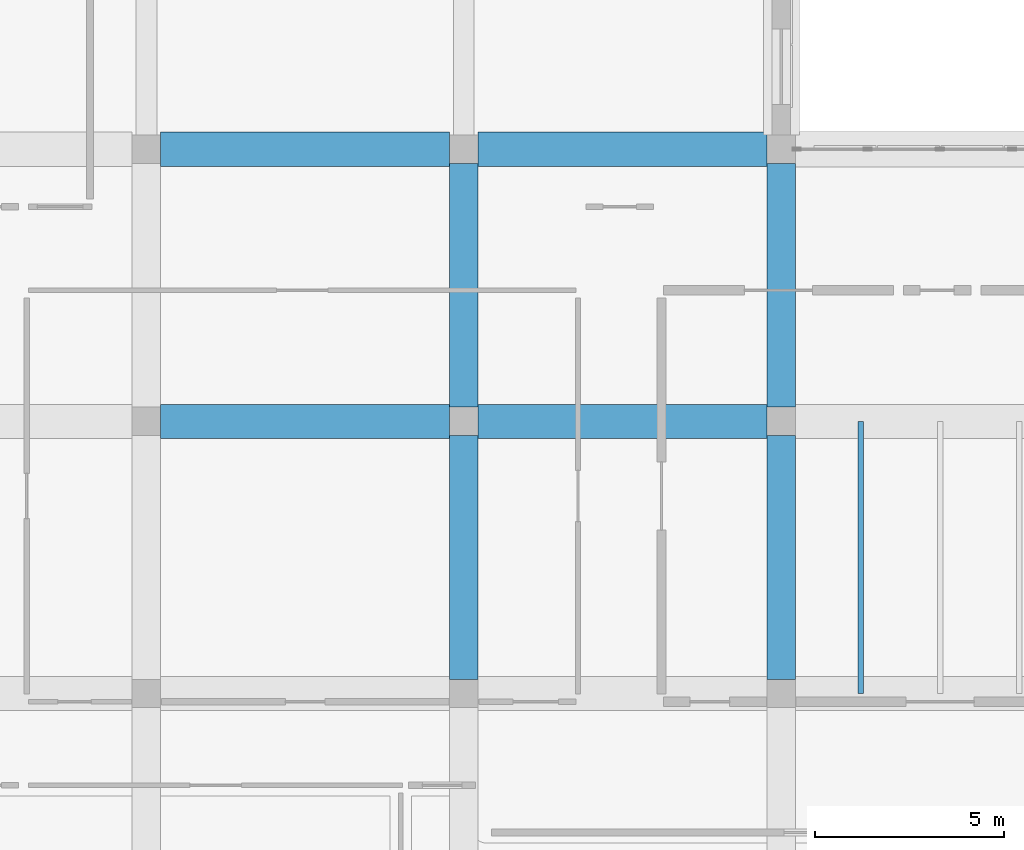
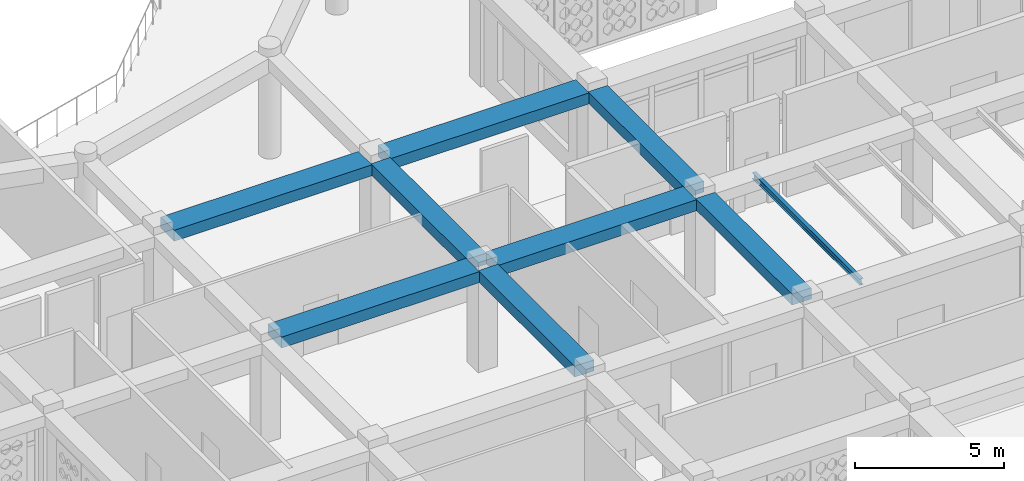
# One storey, part 19 of 111: 9 beams.
"""IFC4 building model written with IfcOpenShell, lengths in metres."""

import ifcopenshell
import ifcopenshell.guid

model = None  # the IFC model being written
_history = None  # IfcOwnerHistory: only IFC2X3 demands one
_inside = {}  # id of a spatial element -> (the spatial element, [elements in it])
_under = {}  # id of a project, library or spatial element -> (it, [spatial elements below it])
_declared = {}  # id of a project -> (the project, [libraries it declares])
_typed = {}  # id of a type object -> (the type object, [elements of that type])
_made_of = {}  # id of a material, layer set ... -> (it, [elements and type objects made of it])


def new_model(schema):
    """Start an empty IFC model of exactly this schema.

    Asked for "IFC4X3", IfcOpenShell would pick the latest addendum, in which some entities
    have other attributes; the version numbers below select the first issue.
    IFC2X3 requires an IfcOwnerHistory on every rooted entity: one is made here for all.
    """
    global model, _history
    if schema == "IFC4X3":
        model = ifcopenshell.file(schema_version=(4, 3, 0, 0))
    else:
        model = ifcopenshell.file(schema=schema)
    _inside.clear()
    _under.clear()
    _declared.clear()
    _typed.clear()
    _made_of.clear()
    _history = None
    if model.schema == "IFC2X3":
        org = make("IfcOrganization", Name="unknown")
        user = make(
            "IfcPersonAndOrganization",
            ThePerson=make("IfcPerson", FamilyName="unknown"),
            TheOrganization=org,
        )
        app = make(
            "IfcApplication",
            ApplicationDeveloper=org,
            Version="unknown",
            ApplicationFullName="unknown",
            ApplicationIdentifier="unknown",
        )
        _history = make(
            "IfcOwnerHistory",
            OwningUser=user,
            OwningApplication=app,
            ChangeAction="ADDED",
            CreationDate=0,
        )
    return model


def make(cls, **values):
    """One entity of the class cls with the attributes given. An attribute that is None is left unset."""
    return model.create_entity(
        cls, **{name: value for name, value in values.items() if value is not None}
    )


def rooted(cls, **values):
    """An entity with a GlobalId (a new one), such as an element, a storey or a relation."""
    return make(cls, GlobalId=ifcopenshell.guid.new(), OwnerHistory=_history, **values)


def si_unit(unit_type, name, prefix=None):
    """IfcSIUnit, for example si_unit("LENGTHUNIT", "METRE", prefix="MILLI")."""
    return make("IfcSIUnit", UnitType=unit_type, Prefix=prefix, Name=name)


def derived_unit(unit_type, elements):
    """IfcDerivedUnit: a product of units, each with its exponent."""
    return make(
        "IfcDerivedUnit",
        Elements=[
            make("IfcDerivedUnitElement", Unit=unit, Exponent=power)
            for unit, power in elements
        ],
        UnitType=unit_type,
    )


def assignment(units):
    """IfcUnitAssignment: the units of a project."""
    return None if units is None else make("IfcUnitAssignment", Units=units)


def point(xyz):
    """IfcCartesianPoint."""
    return None if xyz is None else make("IfcCartesianPoint", Coordinates=xyz)


def direction(xyz):
    """IfcDirection."""
    return None if xyz is None else make("IfcDirection", DirectionRatios=xyz)


def frame(location, z_axis=None, x_axis=None):
    """IfcAxis2Placement3D, a coordinate frame: its origin and axes. An axis left out is left unset."""
    return make(
        "IfcAxis2Placement3D",
        Location=point(location),
        Axis=direction(z_axis),
        RefDirection=direction(x_axis),
    )


def frame_2d(location, x_axis=None):
    """IfcAxis2Placement2D, a coordinate frame in the plane: its origin and x axis."""
    return make(
        "IfcAxis2Placement2D", Location=point(location), RefDirection=direction(x_axis)
    )


def origin():
    """The frame at (0, 0, 0) with its axes left unset."""
    return frame((0.0, 0.0, 0.0))


def origin_2d():
    """The frame at (0, 0) in the plane with its x axis left unset."""
    return frame_2d((0.0, 0.0))


def place(relative_to, where):
    """IfcLocalPlacement: puts the frame where relative to a parent placement (None: the world)."""
    return make(
        "IfcLocalPlacement", PlacementRelTo=relative_to, RelativePlacement=where
    )


def context(
    kind, dimensions, precision=None, world=None, true_north=None, identifier=None
):
    """IfcGeometricRepresentationContext, for example the 3D "Model" context."""
    return make(
        "IfcGeometricRepresentationContext",
        ContextIdentifier=identifier,
        ContextType=kind,
        CoordinateSpaceDimension=dimensions,
        Precision=precision,
        WorldCoordinateSystem=world,
        TrueNorth=true_north,
    )


def subcontext(parent, identifier, kind, view, scale=None):
    """IfcGeometricRepresentationSubContext, for example "Body" below "Model"."""
    return make(
        "IfcGeometricRepresentationSubContext",
        ContextIdentifier=identifier,
        ContextType=kind,
        ParentContext=parent,
        TargetScale=scale,
        TargetView=view,
    )


def project(units=None, contexts=None):
    """IfcProject with its units and contexts."""
    return rooted(
        "IfcProject",
        Name="project",
        RepresentationContexts=contexts,
        UnitsInContext=assignment(units),
    )


def spatial(cls, under=None, at=None, **own):
    """A site, building, storey or space (cls), placed at a placement, below another one or the project."""
    s = rooted(cls, ObjectPlacement=at, **own)
    if under is not None:
        _under.setdefault(under.id(), (under, []))[1].append(s)
    return s


def profile(cls, at=None, kind="AREA", **sizes):
    """A parametric profile (cls). Its sizes go by their IFC names, for example OverallWidth=200.0."""
    return make(cls, ProfileType=kind, Position=at, **sizes)


def rectangle(**sizes):
    """IfcRectangleProfileDef."""
    return profile("IfcRectangleProfileDef", **sizes)


def i_section(**sizes):
    """IfcIShapeProfileDef."""
    return profile("IfcIShapeProfileDef", **sizes)


def extrude(swept, where, along, depth):
    """IfcExtrudedAreaSolid: the profile swept, set in the frame where, extruded along a direction by depth."""
    return make(
        "IfcExtrudedAreaSolid",
        SweptArea=swept,
        Position=where,
        ExtrudedDirection=direction(along),
        Depth=depth,
    )


def shape(context_of_items, identifier, shape_type, items):
    """IfcShapeRepresentation: the items that make up one representation, for example the "Body"."""
    return make(
        "IfcShapeRepresentation",
        ContextOfItems=context_of_items,
        RepresentationIdentifier=identifier,
        RepresentationType=shape_type,
        Items=items,
    )


def material(Name=None, Category=None):
    """IfcMaterial."""
    return make("IfcMaterial", Name=Name, Category=Category)


def material_profile(
    of_material, cross_section, Name=None, Category=None, Priority=None
):
    """IfcMaterialProfile: a cross section and its material."""
    return make(
        "IfcMaterialProfile",
        Name=Name,
        Material=of_material,
        Profile=cross_section,
        Priority=Priority,
        Category=Category,
    )


def profile_set(profiles, Name=None, composite=None):
    """IfcMaterialProfileSet."""
    return make(
        "IfcMaterialProfileSet",
        Name=Name,
        MaterialProfiles=profiles,
        CompositeProfile=composite,
    )


def made_of(thing, what):
    """Note that an element or type object is made of a material, layer set ...; save() writes the relation."""
    if what is not None:
        _made_of.setdefault(what.id(), (what, []))[1].append(thing)
    return thing


def type_object(cls, material=None, **own):
    """A type object (cls), such as IfcWallType, which elements share."""
    return made_of(rooted(cls, **own), material)


def element(
    cls,
    number,
    at=None,
    inside=None,
    cuts=None,
    type_object=None,
    material=None,
    context=None,
    identifier="Body",
    shape_type=None,
    held_by="IfcProductDefinitionShape",
    body=None,
    shapes=None,
    **own,
):
    """One element of the class cls, such as IfcWall. Its Tag is "e" and its number.

    at: its placement. inside: the storey or other place that contains it. cuts: it is an
    opening in that element (IfcRelVoidsElement). A single representation is given by context,
    identifier, shape_type and body (its items); several are given by shapes. held_by: the class
    of the entity that holds the representations. save() writes the other relations.
    """
    e = rooted(cls, Tag="e%d" % number, ObjectPlacement=at, **own)
    if body is not None:
        shapes = [shape(context, identifier, shape_type, body)]
    if shapes is not None:
        e.Representation = make(held_by, Representations=shapes)
    if inside is not None:
        _inside.setdefault(inside.id(), (inside, []))[1].append(e)
    if cuts is not None:
        rooted(
            "IfcRelVoidsElement", RelatingBuildingElement=cuts, RelatedOpeningElement=e
        )
    if type_object is not None:
        _typed.setdefault(type_object.id(), (type_object, []))[1].append(e)
    return made_of(e, material)


def aggregate(whole, parts):
    """IfcRelAggregates: a whole, such as a stair, and the parts it consists of."""
    return rooted("IfcRelAggregates", RelatingObject=whole, RelatedObjects=parts)


def save(model, path):
    """Write the relations noted so far, then the file.

    IfcRelAggregates (storeys below a building ...), IfcRelContainedInSpatialStructure (elements
    in a storey), IfcRelDefinesByType, IfcRelAssociatesMaterial and IfcRelDeclares: one each for
    every whole, place, type object, material and project.
    """
    for whole, parts in _under.values():
        aggregate(whole, parts)
    for where, things in _inside.values():
        rooted(
            "IfcRelContainedInSpatialStructure",
            RelatedElements=things,
            RelatingStructure=where,
        )
    for kind, things in _typed.values():
        rooted("IfcRelDefinesByType", RelatedObjects=things, RelatingType=kind)
    for what, things in _made_of.values():
        rooted("IfcRelAssociatesMaterial", RelatedObjects=things, RelatingMaterial=what)
    for by, libraries in _declared.values():
        rooted("IfcRelDeclares", RelatingContext=by, RelatedDefinitions=libraries)
    model.write(path)


model = new_model("IFC4")

# Units and contexts
model_context = context("Model", 3, precision=1e-05, world=origin(), true_north=direction((0.0, 1.0)))
body_context = subcontext(model_context, "Body", "Model", "MODEL_VIEW")
ifc_project = project(units=[si_unit("LENGTHUNIT", "METRE"), si_unit("AREAUNIT", "SQUARE_METRE"), si_unit("VOLUMEUNIT", "CUBIC_METRE"), si_unit("PLANEANGLEUNIT", "RADIAN"), si_unit("MASSUNIT", "GRAM", prefix="KILO"), derived_unit("THERMALTRANSMITTANCEUNIT", [(si_unit("POWERUNIT", "WATT"), 1), (si_unit("LENGTHUNIT", "METRE"), -2), (si_unit("THERMODYNAMICTEMPERATUREUNIT", "KELVIN"), -1)])], contexts=[model_context])

# Site, building, storey
site_placement = place(None, origin())
site = spatial("IfcSite", under=ifc_project, at=site_placement, CompositionType="ELEMENT")
building_placement = place(site_placement, origin())
building = spatial("IfcBuilding", under=site, at=building_placement, Name="Veybourne Emporium", CompositionType="ELEMENT")
storey_placement = place(building_placement, frame((0.0, 0.0, 9.89990234375)))
storey = spatial("IfcBuildingStorey", under=building, at=storey_placement, Name="L02", CompositionType="ELEMENT", Elevation=9.89990234375)

# Beams
ifc_material_1 = material(Name="Concrete C32/40", Category="concrete")
ifc_material_profile_1 = material_profile(ifc_material_1, rectangle(XDim=0.89990234375, YDim=0.449951171875, at=origin_2d()), Name="RC 900x450")
ifc_profile_set_1 = profile_set([ifc_material_profile_1], Name="Concrete C32/40")
beam_type_1 = type_object("IfcBeamType", Name="RCBeam_BB-03", PredefinedType="BEAM", material=ifc_profile_set_1)
for number, where, z_axis, x_axis, name in (
    (1, (75.97509765625, 21.60009765625, 3.955078125), (1.0, 0.0, 0.0), (0.0, 1.0, 0.0), "L02 X-grid beam BB-03 (9,3)"),
    (2, (75.97509765625, 28.800048828125, 3.955078125), (1.0, 0.0, 0.0), (0.0, 1.0, 0.0), "L02 X-grid beam BB-03 (9,4)"),
    (3, (84.375, 21.60009765625, 3.955078125), (1.0, 0.0, 0.0), (0.0, 1.0, 0.0), "L02 X-grid beam BB-03 (10,3)"),
    (4, (84.375, 28.800048828125, 3.955078125), (1.0, 0.0, 0.0), (0.0, 1.0, 0.0), "L02 X-grid beam BB-03 (10,4)"),
):
    element("IfcBeam", number, at=place(storey_placement, frame(where, z_axis=z_axis, x_axis=x_axis)), inside=storey, type_object=beam_type_1, Name=name, PredefinedType="BEAM", context=body_context, shape_type="SweptSolid", body=[
        extrude(rectangle(XDim=0.89990234375, YDim=0.449951171875, at=origin_2d()), origin(), (0.0, 0.0, 1.0), 7.64990234375),
    ])
ifc_material_profile_2 = material_profile(ifc_material_1, rectangle(XDim=0.75, YDim=0.449951171875, at=origin_2d()), Name="RC 750x450")
ifc_profile_set_2 = profile_set([ifc_material_profile_2], Name="Concrete C32/40")
beam_type_2 = type_object("IfcBeamType", Name="RCBeam_BB-04", PredefinedType="BEAM", material=ifc_profile_set_2)
beam_1_placement = place(storey_placement, frame((84.0, 14.77490234375, 3.955078125), z_axis=(0.0, 1.0, 0.0), x_axis=(-1.0, 0.0, 0.0)))
element("IfcBeam", 5, at=beam_1_placement, inside=storey, type_object=beam_type_2, Name="L02 Y-grid beam BB-04 (10,2)", PredefinedType="BEAM", context=body_context, shape_type="SweptSolid", body=[
    extrude(rectangle(XDim=0.75, YDim=0.449951171875, at=origin_2d()), origin(), (0.0, 0.0, 1.0), 6.4501953125),
])
beam_2_placement = place(storey_placement, frame((84.0, 21.97509765625, 3.955078125), z_axis=(0.0, 1.0, 0.0), x_axis=(-1.0, 0.0, 0.0)))
element("IfcBeam", 6, at=beam_2_placement, inside=storey, type_object=beam_type_2, Name="L02 Y-grid beam BB-04 (10,3)", PredefinedType="BEAM", context=body_context, shape_type="SweptSolid", body=[
    extrude(rectangle(XDim=0.75, YDim=0.449951171875, at=origin_2d()), origin(), (0.0, 0.0, 1.0), 6.449951171875),
])
beam_3_placement = place(storey_placement, frame((92.39990234375, 14.77490234375, 3.955078125), z_axis=(0.0, 1.0, 0.0), x_axis=(-1.0, 0.0, 0.0)))
element("IfcBeam", 7, at=beam_3_placement, inside=storey, type_object=beam_type_2, Name="L02 Y-grid beam BB-04 (11,2)", PredefinedType="BEAM", context=body_context, shape_type="SweptSolid", body=[
    extrude(rectangle(XDim=0.75, YDim=0.449951171875, at=origin_2d()), origin(), (0.0, 0.0, 1.0), 6.4501953125),
])
beam_4_placement = place(storey_placement, frame((92.39990234375, 21.97509765625, 3.955078125), z_axis=(0.0, 1.0, 0.0), x_axis=(-1.0, 0.0, 0.0)))
element("IfcBeam", 8, at=beam_4_placement, inside=storey, type_object=beam_type_2, Name="L02 Y-grid beam BB-04 (11,3)", PredefinedType="BEAM", context=body_context, shape_type="SweptSolid", body=[
    extrude(rectangle(XDim=0.75, YDim=0.449951171875, at=origin_2d()), origin(), (0.0, 0.0, 1.0), 6.449951171875),
])
ifc_material_2 = material(Name="Steel S355", Category="steel")
ifc_material_profile_3 = material_profile(ifc_material_2, i_section(OverallWidth=0.14599609375, OverallDepth=0.25146484375, WebThickness=0.006103515625, FlangeThickness=0.008544921875, FilletRadius=0.007568359375, at=origin_2d()), Name="UKB 254x146x31")
ifc_profile_set_3 = profile_set([ifc_material_profile_3], Name="Steel S355")
beam_type_3 = type_object("IfcBeamType", Name="SteelBeam_FJ-01", PredefinedType="JOIST", material=ifc_profile_set_3)
beam_5_placement = place(storey_placement, frame((94.5, 14.39990234375, 4.052978515625), z_axis=(0.0, 1.0, 0.0), x_axis=(-1.0, 0.0, 0.0)))
element("IfcBeam", 9, at=beam_5_placement, inside=storey, type_object=beam_type_3, Name="Food hall secondary floor joist 1", PredefinedType="JOIST", context=body_context, shape_type="SweptSolid", body=[
    extrude(i_section(OverallWidth=0.14599609375, OverallDepth=0.25146484375, WebThickness=0.006103515625, FlangeThickness=0.008544921875, FilletRadius=0.007568359375, at=origin_2d()), origin(), (0.0, 0.0, 1.0), 7.2001953125),
])

save(model, "model.ifc")
